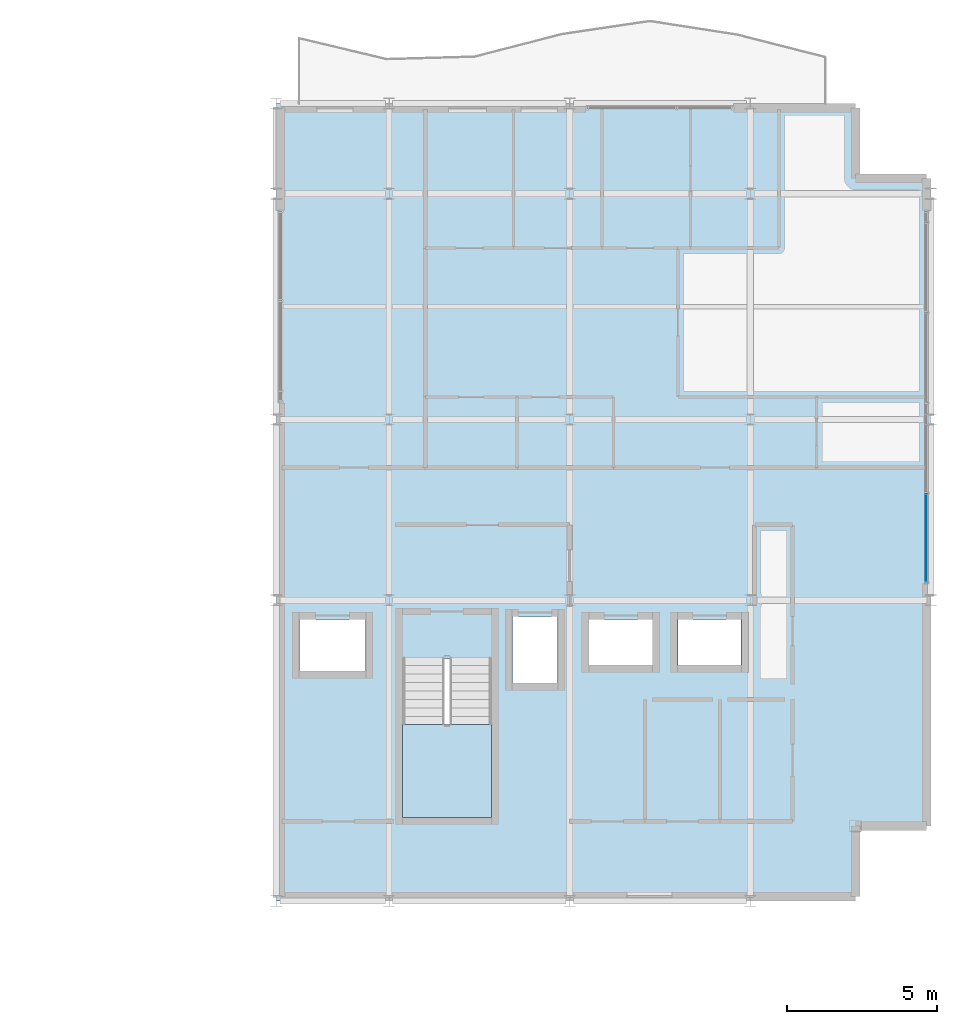
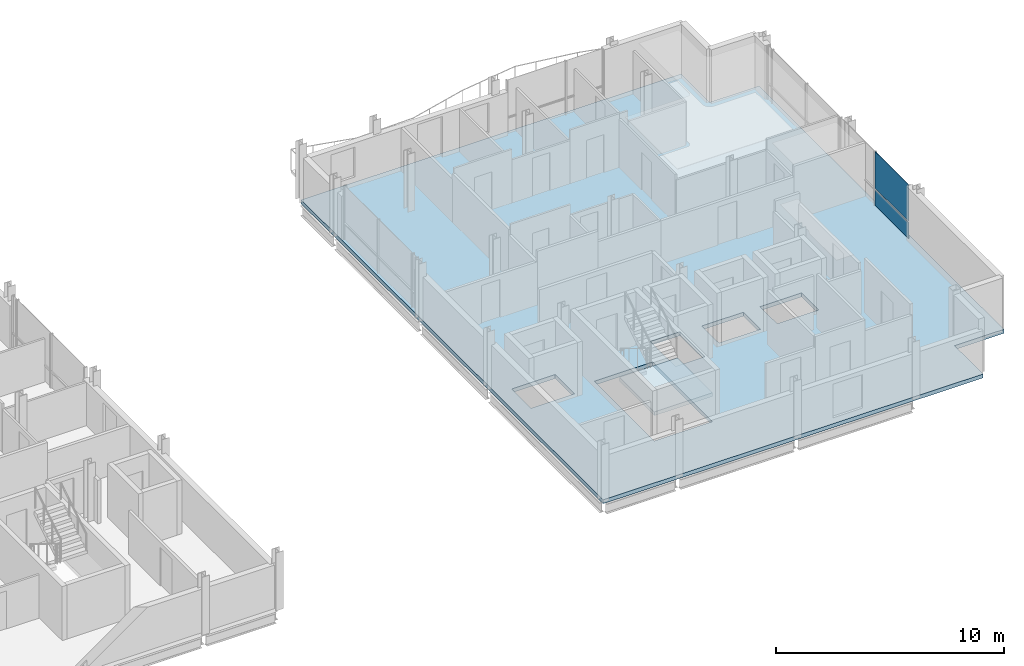
# One storey, part 19 of 29: 2 plates, 2 slabs, 2 elements without a shape of their own.
"""IFC4 building model written with IfcOpenShell, lengths in metres."""

import ifcopenshell
import ifcopenshell.guid

model = None  # the IFC model being written
_history = None  # IfcOwnerHistory: only IFC2X3 demands one
_inside = {}  # id of a spatial element -> (the spatial element, [elements in it])
_under = {}  # id of a project, library or spatial element -> (it, [spatial elements below it])
_declared = {}  # id of a project -> (the project, [libraries it declares])
_typed = {}  # id of a type object -> (the type object, [elements of that type])
_made_of = {}  # id of a material, layer set ... -> (it, [elements and type objects made of it])


def new_model(schema):
    """Start an empty IFC model of exactly this schema.

    Asked for "IFC4X3", IfcOpenShell would pick the latest addendum, in which some entities
    have other attributes; the version numbers below select the first issue.
    IFC2X3 requires an IfcOwnerHistory on every rooted entity: one is made here for all.
    """
    global model, _history
    if schema == "IFC4X3":
        model = ifcopenshell.file(schema_version=(4, 3, 0, 0))
    else:
        model = ifcopenshell.file(schema=schema)
    _inside.clear()
    _under.clear()
    _declared.clear()
    _typed.clear()
    _made_of.clear()
    _history = None
    if model.schema == "IFC2X3":
        org = make("IfcOrganization", Name="unknown")
        user = make(
            "IfcPersonAndOrganization",
            ThePerson=make("IfcPerson", FamilyName="unknown"),
            TheOrganization=org,
        )
        app = make(
            "IfcApplication",
            ApplicationDeveloper=org,
            Version="unknown",
            ApplicationFullName="unknown",
            ApplicationIdentifier="unknown",
        )
        _history = make(
            "IfcOwnerHistory",
            OwningUser=user,
            OwningApplication=app,
            ChangeAction="ADDED",
            CreationDate=0,
        )
    return model


def make(cls, **values):
    """One entity of the class cls with the attributes given. An attribute that is None is left unset."""
    return model.create_entity(
        cls, **{name: value for name, value in values.items() if value is not None}
    )


def rooted(cls, **values):
    """An entity with a GlobalId (a new one), such as an element, a storey or a relation."""
    return make(cls, GlobalId=ifcopenshell.guid.new(), OwnerHistory=_history, **values)


def si_unit(unit_type, name, prefix=None):
    """IfcSIUnit, for example si_unit("LENGTHUNIT", "METRE", prefix="MILLI")."""
    return make("IfcSIUnit", UnitType=unit_type, Prefix=prefix, Name=name)


def assignment(units):
    """IfcUnitAssignment: the units of a project."""
    return None if units is None else make("IfcUnitAssignment", Units=units)


def point(xyz):
    """IfcCartesianPoint."""
    return None if xyz is None else make("IfcCartesianPoint", Coordinates=xyz)


def direction(xyz):
    """IfcDirection."""
    return None if xyz is None else make("IfcDirection", DirectionRatios=xyz)


def frame(location, z_axis=None, x_axis=None):
    """IfcAxis2Placement3D, a coordinate frame: its origin and axes. An axis left out is left unset."""
    return make(
        "IfcAxis2Placement3D",
        Location=point(location),
        Axis=direction(z_axis),
        RefDirection=direction(x_axis),
    )


def frame_2d(location, x_axis=None):
    """IfcAxis2Placement2D, a coordinate frame in the plane: its origin and x axis."""
    return make(
        "IfcAxis2Placement2D", Location=point(location), RefDirection=direction(x_axis)
    )


def origin():
    """The frame at (0, 0, 0) with its axes left unset."""
    return frame((0.0, 0.0, 0.0))


def origin_2d():
    """The frame at (0, 0) in the plane with its x axis left unset."""
    return frame_2d((0.0, 0.0))


def place(relative_to, where):
    """IfcLocalPlacement: puts the frame where relative to a parent placement (None: the world)."""
    return make(
        "IfcLocalPlacement", PlacementRelTo=relative_to, RelativePlacement=where
    )


def context(
    kind, dimensions, precision=None, world=None, true_north=None, identifier=None
):
    """IfcGeometricRepresentationContext, for example the 3D "Model" context."""
    return make(
        "IfcGeometricRepresentationContext",
        ContextIdentifier=identifier,
        ContextType=kind,
        CoordinateSpaceDimension=dimensions,
        Precision=precision,
        WorldCoordinateSystem=world,
        TrueNorth=true_north,
    )


def subcontext(parent, identifier, kind, view, scale=None):
    """IfcGeometricRepresentationSubContext, for example "Body" below "Model"."""
    return make(
        "IfcGeometricRepresentationSubContext",
        ContextIdentifier=identifier,
        ContextType=kind,
        ParentContext=parent,
        TargetScale=scale,
        TargetView=view,
    )


def project(units=None, contexts=None):
    """IfcProject with its units and contexts."""
    return rooted(
        "IfcProject",
        Name="project",
        RepresentationContexts=contexts,
        UnitsInContext=assignment(units),
    )


def spatial(cls, under=None, at=None, **own):
    """A site, building, storey or space (cls), placed at a placement, below another one or the project."""
    s = rooted(cls, ObjectPlacement=at, **own)
    if under is not None:
        _under.setdefault(under.id(), (under, []))[1].append(s)
    return s


def polyline(points):
    """IfcPolyline through the points."""
    return make("IfcPolyline", Points=[point(p) for p in points])


def profile(cls, at=None, kind="AREA", **sizes):
    """A parametric profile (cls). Its sizes go by their IFC names, for example OverallWidth=200.0."""
    return make(cls, ProfileType=kind, Position=at, **sizes)


def rectangle(**sizes):
    """IfcRectangleProfileDef."""
    return profile("IfcRectangleProfileDef", **sizes)


def outline(outer, holes=None, kind="AREA"):
    """IfcArbitraryClosedProfileDef: a profile drawn as a closed curve; with holes, ...WithVoids."""
    if holes is None:
        return make("IfcArbitraryClosedProfileDef", ProfileType=kind, OuterCurve=outer)
    return make(
        "IfcArbitraryProfileDefWithVoids",
        ProfileType=kind,
        OuterCurve=outer,
        InnerCurves=holes,
    )


def extrude(swept, where, along, depth):
    """IfcExtrudedAreaSolid: the profile swept, set in the frame where, extruded along a direction by depth."""
    return make(
        "IfcExtrudedAreaSolid",
        SweptArea=swept,
        Position=where,
        ExtrudedDirection=direction(along),
        Depth=depth,
    )


def shape(context_of_items, identifier, shape_type, items):
    """IfcShapeRepresentation: the items that make up one representation, for example the "Body"."""
    return make(
        "IfcShapeRepresentation",
        ContextOfItems=context_of_items,
        RepresentationIdentifier=identifier,
        RepresentationType=shape_type,
        Items=items,
    )


def material(Name=None, Category=None):
    """IfcMaterial."""
    return make("IfcMaterial", Name=Name, Category=Category)


def layer(
    of_material, thickness, ventilated=None, Name=None, Category=None, Priority=None
):
    """IfcMaterialLayer: one layer of a wall or slab, of a material (None: an air gap)."""
    return make(
        "IfcMaterialLayer",
        Material=of_material,
        LayerThickness=thickness,
        IsVentilated=ventilated,
        Name=Name,
        Category=Category,
        Priority=Priority,
    )


def layer_set(layers, Name=None):
    """IfcMaterialLayerSet."""
    return make("IfcMaterialLayerSet", MaterialLayers=layers, LayerSetName=Name)


def made_of(thing, what):
    """Note that an element or type object is made of a material, layer set ...; save() writes the relation."""
    if what is not None:
        _made_of.setdefault(what.id(), (what, []))[1].append(thing)
    return thing


def type_object(cls, material=None, **own):
    """A type object (cls), such as IfcWallType, which elements share."""
    return made_of(rooted(cls, **own), material)


def element(
    cls,
    number,
    at=None,
    inside=None,
    cuts=None,
    type_object=None,
    material=None,
    context=None,
    identifier="Body",
    shape_type=None,
    held_by="IfcProductDefinitionShape",
    body=None,
    shapes=None,
    **own,
):
    """One element of the class cls, such as IfcWall. Its Tag is "e" and its number.

    at: its placement. inside: the storey or other place that contains it. cuts: it is an
    opening in that element (IfcRelVoidsElement). A single representation is given by context,
    identifier, shape_type and body (its items); several are given by shapes. held_by: the class
    of the entity that holds the representations. save() writes the other relations.
    """
    e = rooted(cls, Tag="e%d" % number, ObjectPlacement=at, **own)
    if body is not None:
        shapes = [shape(context, identifier, shape_type, body)]
    if shapes is not None:
        e.Representation = make(held_by, Representations=shapes)
    if inside is not None:
        _inside.setdefault(inside.id(), (inside, []))[1].append(e)
    if cuts is not None:
        rooted(
            "IfcRelVoidsElement", RelatingBuildingElement=cuts, RelatedOpeningElement=e
        )
    if type_object is not None:
        _typed.setdefault(type_object.id(), (type_object, []))[1].append(e)
    return made_of(e, material)


def aggregate(whole, parts):
    """IfcRelAggregates: a whole, such as a stair, and the parts it consists of."""
    return rooted("IfcRelAggregates", RelatingObject=whole, RelatedObjects=parts)


def save(model, path):
    """Write the relations noted so far, then the file.

    IfcRelAggregates (storeys below a building ...), IfcRelContainedInSpatialStructure (elements
    in a storey), IfcRelDefinesByType, IfcRelAssociatesMaterial and IfcRelDeclares: one each for
    every whole, place, type object, material and project.
    """
    for whole, parts in _under.values():
        aggregate(whole, parts)
    for where, things in _inside.values():
        rooted(
            "IfcRelContainedInSpatialStructure",
            RelatedElements=things,
            RelatingStructure=where,
        )
    for kind, things in _typed.values():
        rooted("IfcRelDefinesByType", RelatedObjects=things, RelatingType=kind)
    for what, things in _made_of.values():
        rooted("IfcRelAssociatesMaterial", RelatedObjects=things, RelatingMaterial=what)
    for by, libraries in _declared.values():
        rooted("IfcRelDeclares", RelatingContext=by, RelatedDefinitions=libraries)
    model.write(path)


model = new_model("IFC4")

# Units and contexts
model_context = context("Model", 3, precision=1e-05, world=origin(), true_north=direction((0.0, 1.0)))
body_context = subcontext(model_context, "Body", "Model", "MODEL_VIEW")
ifc_project = project(units=[si_unit("LENGTHUNIT", "METRE"), si_unit("AREAUNIT", "SQUARE_METRE"), si_unit("VOLUMEUNIT", "CUBIC_METRE"), si_unit("PLANEANGLEUNIT", "RADIAN"), si_unit("MASSUNIT", "GRAM", prefix="KILO")], contexts=[model_context])

# Site, building, storey
site_placement = place(None, origin())
site = spatial("IfcSite", under=ifc_project, at=site_placement, CompositionType="ELEMENT")
building_placement = place(site_placement, origin())
building = spatial("IfcBuilding", under=site, at=building_placement, Name="Brevholm Reach", CompositionType="ELEMENT")
storey_placement = place(building_placement, frame((0.0, 0.0, 208.0)))
storey = spatial("IfcBuildingStorey", under=building, at=storey_placement, Name="L63", CompositionType="ELEMENT", Elevation=208.0)

# Curtain wall, plates
ifc_material_1 = material(Name="Dark Anodised Aluminium 6063-T6 and Solar-Control Glass", Category="aluminium")
ifc_layer_1 = layer(ifc_material_1, 0.14990234375)
ifc_layer_set_1 = layer_set([ifc_layer_1], Name="Dark Anodised Aluminium 6063-T6 and Solar-Control Glass")
curtain_wall_type = type_object("IfcCurtainWallType", Name="CW-01", PredefinedType="NOTDEFINED", material=ifc_layer_set_1)
curtain_wall_placement = place(storey_placement, origin())
curtain_wall = element("IfcCurtainWall", 1, at=curtain_wall_placement, inside=storey, type_object=curtain_wall_type, Name="L63 Curtain Wall CW-01", PredefinedType="NOTDEFINED")
ifc_material_2 = material(Name="Dark Solar-Control Double-Glazed IGU Glass", Category="glass")
ifc_layer_2 = layer(ifc_material_2, 0.028076171875)
ifc_layer_set_2 = layer_set([ifc_layer_2], Name="Dark Solar-Control Double-Glazed IGU Glass")
plate_type = type_object("IfcPlateType", Name="CWP-GLZ-28", PredefinedType="CURTAIN_PANEL", material=ifc_layer_set_2)
plate_1_placement = place(storey_placement, frame((59.85009765625, 12.066162109375, 0.0), z_axis=(0.0, 0.0, 1.0), x_axis=(0.0, 1.0, 0.0)))
plate_1 = element("IfcPlate", 2, at=plate_1_placement, type_object=plate_type, Name="CP-01 Glazing Panel 1.1", PredefinedType="CURTAIN_PANEL", context=body_context, shape_type="SweptSolid", body=[
    extrude(rectangle(XDim=2.902587890625, YDim=0.028076171875, at=origin_2d()), origin(), (0.0, 0.0, 1.0), 0.867431640625),
])
plate_2_placement = place(storey_placement, frame((59.85009765625, 12.066162109375, 0.932373046875), z_axis=(0.0, 0.0, 1.0), x_axis=(0.0, 1.0, 0.0)))
plate_2 = element("IfcPlate", 3, at=plate_2_placement, type_object=plate_type, Name="CP-01 Glazing Panel 1.2", PredefinedType="CURTAIN_PANEL", context=body_context, shape_type="SweptSolid", body=[
    extrude(rectangle(XDim=2.902587890625, YDim=0.028076171875, at=origin_2d()), origin(), (0.0, 0.0, 1.0), 1.95751953125),
])
aggregate(curtain_wall, [plate_1, plate_2])

# Slab
ifc_material_3 = material(Name="Concrete C40/50", Category="concrete")
ifc_layer_3 = layer(ifc_material_3, 0.2099609375)
ifc_layer_set_3 = layer_set([ifc_layer_3], Name="Concrete C40/50")
slab_type_1 = type_object("IfcSlabType", Name="SLB-FL-210", PredefinedType="FLOOR", material=ifc_layer_set_3)
slab_1_placement = place(storey_placement, frame((0.0, 0.0, -0.2099609375)))
element("IfcSlab", 4, at=slab_1_placement, inside=storey, type_object=slab_type_1, Name="L63 Suspended Floor Slab (east-wing)", PredefinedType="FLOOR", context=body_context, shape_type="SweptSolid", body=[
    extrude(outline(polyline([(38.25, 0.0), (57.5, 0.0), (57.5, 2.5), (60.0, 2.5), (60.0, 24.0), (57.5, 24.0), (57.5, 26.5), (38.25, 26.5), (38.25, 0.0)]), holes=[polyline([(42.449951171875, 2.780029296875), (45.39990234375, 2.780029296875), (45.39990234375, 8.044921875), (42.449951171875, 8.044921875), (42.449951171875, 2.780029296875)]), polyline([(46.10009765625, 7.25), (47.60009765625, 7.25), (47.60009765625, 9.449951171875), (46.10009765625, 9.449951171875), (46.10009765625, 7.25)]), polyline([(39.02001953125, 7.64990234375), (41.219970703125, 7.64990234375), (41.219970703125, 9.35009765625), (39.02001953125, 9.35009765625), (39.02001953125, 7.64990234375)]), polyline([(48.64990234375, 7.85009765625), (50.75, 7.85009765625), (50.75, 9.35009765625), (48.64990234375, 9.35009765625), (48.64990234375, 7.85009765625)]), polyline([(51.60009765625, 7.85009765625), (53.699951171875, 7.85009765625), (53.699951171875, 9.35009765625), (51.60009765625, 9.35009765625), (51.60009765625, 7.85009765625)])]), origin(), (0.0, 0.0, 1.0), 0.2099609375),
])

# Stair, slab
ifc_material_4 = material(Name="Precast Concrete C40/50", Category="concrete")
stair_type = type_object("IfcStairType", Name="STR-ESC-1400", PredefinedType="DOUBLE_RETURN_STAIR", material=ifc_material_4)
stair_placement = place(storey_placement, origin())
stair = element("IfcStair", 5, at=stair_placement, inside=storey, type_object=stair_type, Name="L63 ST-2", PredefinedType="DOUBLE_RETURN_STAIR")
ifc_material_5 = material(Name="Concrete C40/50", Category="concrete")
ifc_layer_4 = layer(ifc_material_5, 0.199951171875)
ifc_layer_set_4 = layer_set([ifc_layer_4], Name="Concrete C40/50")
slab_type_2 = type_object("IfcSlabType", Name="SLB-LND-200", PredefinedType="LANDING", material=ifc_layer_set_4)
slab_2_placement = place(storey_placement, frame((0.0, 0.0, 1.35009765625)))
slab_2 = element("IfcSlab", 6, at=slab_2_placement, type_object=slab_type_2, Name="ST-2 landing 1", PredefinedType="LANDING", context=body_context, shape_type="SweptSolid", body=[
    extrude(outline(polyline([(42.449951171875, 5.860107421875), (42.449951171875, 2.780029296875), (45.39990234375, 2.780029296875), (45.39990234375, 5.860107421875), (42.449951171875, 5.860107421875)])), origin(), (0.0, 0.0, 1.0), 0.199951171875),
])
aggregate(stair, [slab_2])

save(model, "model.ifc")
